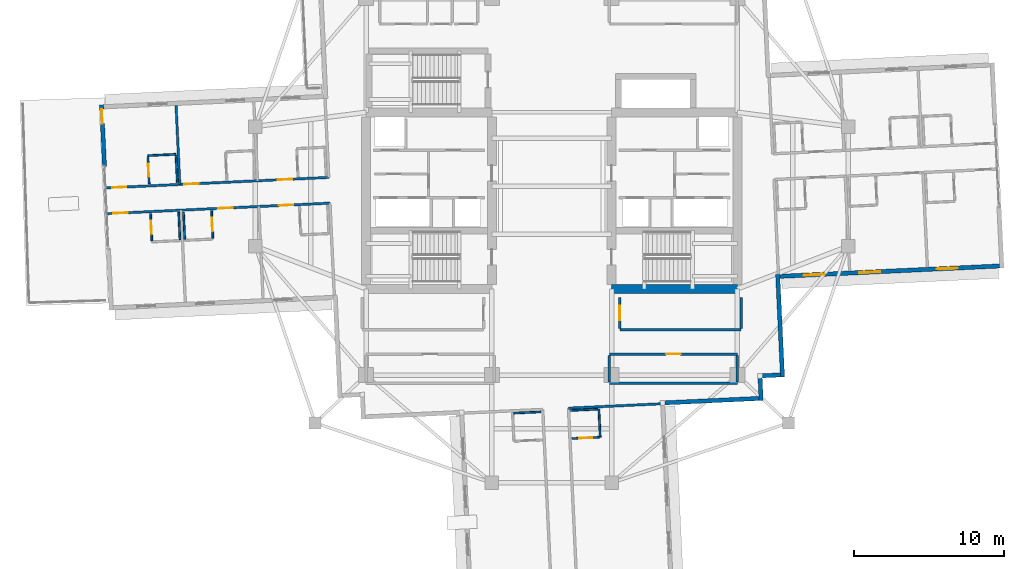
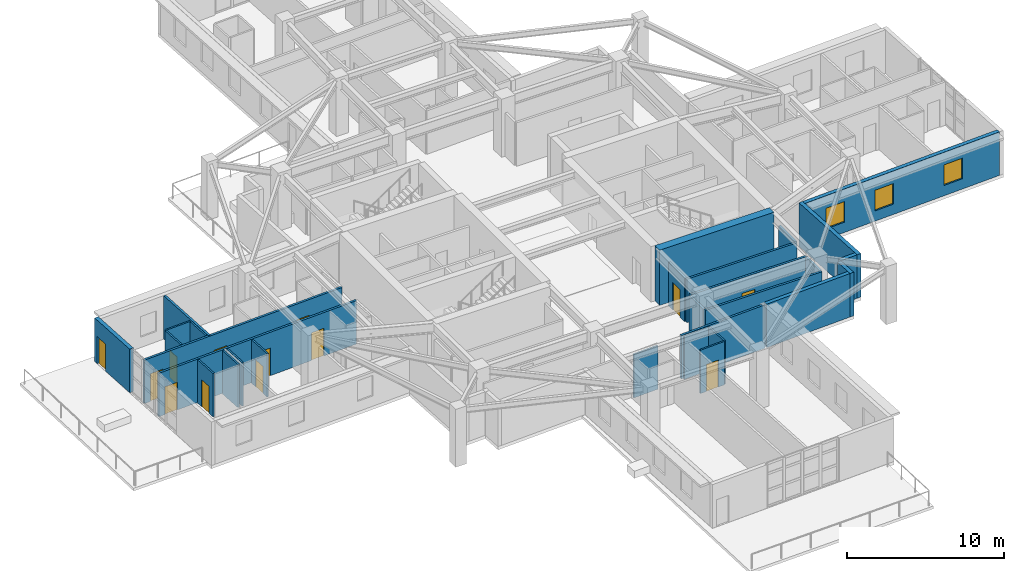
# One storey, part 12 of 22: 29 walls, 13 doors, 3 windows, 16 openings.
"""IFC4 building model written with IfcOpenShell, lengths in metres."""

from ifc_helpers import new_model, si_unit, direction, frame, frame_2d, origin, place, context, subcontext, project, spatial, rectangle, extrude, material, layer, layer_set, type_object, element, fill, save


model = new_model("IFC4")

# Units and contexts
model_context = context("Model", 3, precision=1e-05, world=origin(), true_north=direction((0.0, 1.0)))
body_context = subcontext(model_context, "Body", "Model", "MODEL_VIEW")
ifc_project = project(units=[si_unit("LENGTHUNIT", "METRE"), si_unit("AREAUNIT", "SQUARE_METRE"), si_unit("VOLUMEUNIT", "CUBIC_METRE"), si_unit("PLANEANGLEUNIT", "RADIAN"), si_unit("MASSUNIT", "GRAM", prefix="KILO")], contexts=[model_context])

# Site, building, storey
site_placement = place(None, origin())
site = spatial("IfcSite", under=ifc_project, at=site_placement, CompositionType="ELEMENT")
building_placement = place(site_placement, origin())
building = spatial("IfcBuilding", under=site, at=building_placement, Name="Qingluan Cross Belvedere", CompositionType="ELEMENT")
storey_placement = place(building_placement, frame((0.0, 0.0, 196.800048828125)))
storey = spatial("IfcBuildingStorey", under=building, at=storey_placement, Name="L49", CompositionType="ELEMENT", Elevation=196.800048828125)

# Walls
ifc_material_1 = material(Name="Concrete C60", Category="concrete")
ifc_layer_1 = layer(ifc_material_1, 0.60009765625, Name="CoreShearWall_600")
ifc_layer_set_1 = layer_set([ifc_layer_1], Name="Concrete C60")
wall_type_1 = type_object("IfcWallType", Name="CoreShearWall_600", PredefinedType="SHEAR", material=ifc_layer_set_1)
wall_1_placement = place(storey_placement, frame((4.0, -6.85009765625, 0.0), z_axis=(0.0, 0.0, 1.0), x_axis=(1.0, 0.0, 0.0)))
element("IfcWall", 1, at=wall_1_placement, inside=storey, type_object=wall_type_1, Name="Split core E shear wall L49-S", PredefinedType="SHEAR", context=body_context, shape_type="SweptSolid", body=[
    extrude(rectangle(XDim=8.39990234375, YDim=0.60009765625, at=frame_2d((4.199951171875, 0.0))), origin(), (0.0, 0.0, 1.0), 4.300048828125),
])
ifc_material_2 = material(Name="Gypsum plasterboard on steel stud acoustic partition", Category="steel")
ifc_layer_2 = layer(ifc_material_2, 0.159912109375, Name="CorridorPartition_160")
ifc_layer_set_2 = layer_set([ifc_layer_2], Name="Gypsum plasterboard on steel stud acoustic partition")
wall_type_2 = type_object("IfcWallType", Name="CorridorPartition_160", PredefinedType="PARTITIONING", material=ifc_layer_set_2)
wall_2_placement = place(storey_placement, frame((3.85009765625, -13.14990234375, 0.0), z_axis=(0.0, 0.0, 1.0), x_axis=(1.0, 0.0, 0.0)))
element("IfcWall", 2, at=wall_2_placement, inside=storey, type_object=wall_type_2, Name="Partition L49:sky_tea_lounge:S", PredefinedType="PARTITIONING", context=body_context, shape_type="SweptSolid", body=[
    extrude(rectangle(XDim=8.5498046875, YDim=0.159912109375, at=frame_2d((4.27490234375, 0.0))), origin(), (0.0, 0.0, 1.0), 3.369873046875),
])

# Wall, opening, door
wall_3_placement = place(storey_placement, frame((3.85009765625, -11.199951171875, 0.0), z_axis=(0.0, 0.0, 1.0), x_axis=(1.0, 0.0, 0.0)))
wall_3 = element("IfcWall", 3, at=wall_3_placement, inside=storey, type_object=wall_type_2, Name="Partition L49:sky_tea_lounge:N", PredefinedType="PARTITIONING", context=body_context, shape_type="SweptSolid", body=[
    extrude(rectangle(XDim=8.5498046875, YDim=0.159912109375, at=frame_2d((4.27490234375, 0.0))), origin(), (0.0, 0.0, 1.0), 3.369873046875),
])
opening_1_placement = place(wall_3_placement, frame((3.794921875, 0.0, 0.0)))
opening_1 = element("IfcOpeningElement", 4, at=opening_1_placement, cuts=wall_3, Name="Opening GD-10", PredefinedType="OPENING", context=body_context, shape_type="SweptSolid", body=[
    extrude(rectangle(XDim=0.9599609375, YDim=2.14990234375, at=frame_2d((0.47998046875, 1.074951171875))), frame((0.0, 0.08984375, 0.0), z_axis=(0.0, -1.0, 0.0), x_axis=(1.0, 0.0, 0.0)), (0.0, 0.0, 1.0), 0.179931640625),
])
ifc_material_3 = material(Name="Timber oak fire-rated acoustic guestroom door", Category="wood")
door_type_1 = type_object("IfcDoorType", Name="GuestEntryDoor_FD60", OperationType="NOTDEFINED", PredefinedType="DOOR", material=ifc_material_3)
door_1_placement = place(opening_1_placement, origin())
door_1 = element("IfcDoor", 5, at=door_1_placement, inside=storey, type_object=door_type_1, Name="Winter-garden sky tea lounge L49 door", OperationType="SINGLE_SWING_RIGHT", OverallHeight=2.14990234375, OverallWidth=0.9599609375, PredefinedType="DOOR", context=body_context, shape_type="SweptSolid", body=[
    extrude(rectangle(XDim=0.9599609375, YDim=2.14990234375, at=frame_2d((0.47998046875, 1.074951171875))), frame((0.0, 0.02490234375, 0.0), z_axis=(0.0, -1.0, 0.0), x_axis=(1.0, 0.0, 0.0)), (0.0, 0.0, 1.0), 0.050048828125),
])
fill(opening_1, door_1)

# Walls
for number, where, z_axis, x_axis, name in (
    (6, (3.85009765625, -13.06494140625, 0.0), (0.0, 0.0, 1.0), (0.0, 1.0, 0.0), "Partition L49:sky_tea_lounge:W"),
    (7, (12.39990234375, -13.06494140625, 0.0), (0.0, 0.0, 1.0), (0.0, 1.0, 0.0), "Partition L49:sky_tea_lounge:E"),
):
    element("IfcWall", number, at=place(storey_placement, frame(where, z_axis=z_axis, x_axis=x_axis)), inside=storey, type_object=wall_type_2, Name=name, PredefinedType="PARTITIONING", context=body_context, shape_type="SweptSolid", body=[
        extrude(rectangle(XDim=1.780029296875, YDim=0.159912109375, at=frame_2d((0.89013671875, 0.0))), origin(), (0.0, 0.0, 1.0), 3.369873046875),
    ])
wall_4_placement = place(storey_placement, frame((4.550048828125, -9.580078125, 0.0), z_axis=(0.0, 0.0, 1.0), x_axis=(1.0, 0.0, 0.0)))
element("IfcWall", 8, at=wall_4_placement, inside=storey, type_object=wall_type_2, Name="Partition L49:rec_st4:S", PredefinedType="PARTITIONING", context=body_context, shape_type="SweptSolid", body=[
    extrude(rectangle(XDim=8.099853515625, YDim=0.159912109375, at=frame_2d((4.0498046875, 0.0))), origin(), (0.0, 0.0, 1.0), 3.369873046875),
])

# Wall, opening, door
wall_5_placement = place(storey_placement, frame((4.550048828125, -9.4951171875, 0.0), z_axis=(0.0, 0.0, 1.0), x_axis=(0.0, 1.0, 0.0)))
wall_5 = element("IfcWall", 9, at=wall_5_placement, inside=storey, type_object=wall_type_2, Name="Partition L49:rec_st4:W", PredefinedType="PARTITIONING", context=body_context, shape_type="SweptSolid", body=[
    extrude(rectangle(XDim=2.06005859375, YDim=0.159912109375, at=frame_2d((1.030029296875, 0.0))), origin(), (0.0, 0.0, 1.0), 3.369873046875),
])
opening_2_placement = place(wall_5_placement, frame((0.550048828125, 0.0, 0.0)))
opening_2 = element("IfcOpeningElement", 10, at=opening_2_placement, cuts=wall_5, Name="Opening GD-10", PredefinedType="OPENING", context=body_context, shape_type="SweptSolid", body=[
    extrude(rectangle(XDim=0.9599609375, YDim=2.14990234375, at=frame_2d((0.47998046875, 1.074951171875))), frame((0.0, 0.08984375, 0.0), z_axis=(0.0, -1.0, 0.0), x_axis=(1.0, 0.0, 0.0)), (0.0, 0.0, 1.0), 0.179931640625),
])
door_2_placement = place(opening_2_placement, origin())
door_2 = element("IfcDoor", 11, at=door_2_placement, inside=storey, type_object=door_type_1, Name="Southeast club library room L49 door", OperationType="SINGLE_SWING_RIGHT", OverallHeight=2.14990234375, OverallWidth=0.9599609375, PredefinedType="DOOR", context=body_context, shape_type="SweptSolid", body=[
    extrude(rectangle(XDim=0.9599609375, YDim=2.14990234375, at=frame_2d((0.47998046875, 1.074951171875))), frame((0.0, 0.02490234375, 0.0), z_axis=(0.0, -1.0, 0.0), x_axis=(1.0, 0.0, 0.0)), (0.0, 0.0, 1.0), 0.050048828125),
])
fill(opening_2, door_2)

# Wall
wall_6_placement = place(storey_placement, frame((12.64990234375, -9.4951171875, 0.0), z_axis=(0.0, 0.0, 1.0), x_axis=(0.0, 1.0, 0.0)))
element("IfcWall", 12, at=wall_6_placement, inside=storey, type_object=wall_type_2, Name="Partition L49:rec_st4:E", PredefinedType="PARTITIONING", context=body_context, shape_type="SweptSolid", body=[
    extrude(rectangle(XDim=2.06005859375, YDim=0.159912109375, at=frame_2d((1.030029296875, 0.0))), origin(), (0.0, 0.0, 1.0), 3.369873046875),
])

# Wall, openings, doors
wall_7_placement = place(storey_placement, frame((-14.894775390625, 0.59912109375, 0.0), z_axis=(0.0, 0.0, 1.0), x_axis=(-0.998889640632, -0.04711141941, 0.0)))
wall_7 = element("IfcWall", 13, at=wall_7_placement, inside=storey, type_object=wall_type_2, Name="Partition L49:W:c0", PredefinedType="PARTITIONING", context=body_context, shape_type="SweptSolid", body=[
    extrude(rectangle(XDim=14.929931640625, YDim=0.159912109375, at=frame_2d((7.46484375, 0.0))), origin(), (0.0, 0.0, 1.0), 3.369873046875),
])
opening_3_placement = place(wall_7_placement, frame((2.4560546875, 0.0, 0.0)))
opening_3 = element("IfcOpeningElement", 14, at=opening_3_placement, cuts=wall_7, Name="Opening GD-10", PredefinedType="OPENING", context=body_context, shape_type="SweptSolid", body=[
    extrude(rectangle(XDim=0.9599609375, YDim=2.14990234375, at=frame_2d((0.47998046875, 1.074951171875))), frame((0.0, 0.08984375, 0.0), z_axis=(0.0, -1.0, 0.0), x_axis=(1.0, 0.0, 0.0)), (0.0, 0.0, 1.0), 0.179931640625),
])
opening_4_placement = place(wall_7_placement, frame((8.700927734375, 0.0, 0.0)))
opening_4 = element("IfcOpeningElement", 15, at=opening_4_placement, cuts=wall_7, Name="Opening GD-10", PredefinedType="OPENING", context=body_context, shape_type="SweptSolid", body=[
    extrude(rectangle(XDim=0.9599609375, YDim=2.14990234375, at=frame_2d((0.47998046875, 1.074951171875))), frame((0.0, 0.08984375, 0.0), z_axis=(0.0, -1.0, 0.0), x_axis=(1.0, 0.0, 0.0)), (0.0, 0.0, 1.0), 0.179931640625),
])
opening_5_placement = place(wall_7_placement, frame((13.530029296875, 0.0, 0.0)))
opening_5 = element("IfcOpeningElement", 16, at=opening_5_placement, cuts=wall_7, Name="Opening GD-10", PredefinedType="OPENING", context=body_context, shape_type="SweptSolid", body=[
    extrude(rectangle(XDim=0.9599609375, YDim=2.14990234375, at=frame_2d((0.47998046875, 1.074951171875))), frame((0.0, 0.08984375, 0.0), z_axis=(0.0, -1.0, 0.0), x_axis=(1.0, 0.0, 0.0)), (0.0, 0.0, 1.0), 0.179931640625),
])
door_3_placement = place(opening_3_placement, origin())
door_3 = element("IfcDoor", 17, at=door_3_placement, inside=storey, type_object=door_type_1, Name="Guest entry fire door 4907", OperationType="SINGLE_SWING_RIGHT", OverallHeight=2.14990234375, OverallWidth=0.9599609375, PredefinedType="DOOR", context=body_context, shape_type="SweptSolid", body=[
    extrude(rectangle(XDim=0.9599609375, YDim=2.14990234375, at=frame_2d((0.47998046875, 1.074951171875))), frame((0.0, 0.02490234375, 0.0), z_axis=(0.0, -1.0, 0.0), x_axis=(1.0, 0.0, 0.0)), (0.0, 0.0, 1.0), 0.050048828125),
])
fill(opening_3, door_3)
door_4_placement = place(opening_4_placement, origin())
door_4 = element("IfcDoor", 18, at=door_4_placement, inside=storey, type_object=door_type_1, Name="Guest entry fire door 4908", OperationType="SINGLE_SWING_RIGHT", OverallHeight=2.14990234375, OverallWidth=0.9599609375, PredefinedType="DOOR", context=body_context, shape_type="SweptSolid", body=[
    extrude(rectangle(XDim=0.9599609375, YDim=2.14990234375, at=frame_2d((0.47998046875, 1.074951171875))), frame((0.0, 0.02490234375, 0.0), z_axis=(0.0, -1.0, 0.0), x_axis=(1.0, 0.0, 0.0)), (0.0, 0.0, 1.0), 0.050048828125),
])
fill(opening_4, door_4)
door_5_placement = place(opening_5_placement, origin())
door_5 = element("IfcDoor", 19, at=door_5_placement, inside=storey, type_object=door_type_1, Name="Guest entry fire door 4909", OperationType="SINGLE_SWING_RIGHT", OverallHeight=2.14990234375, OverallWidth=0.9599609375, PredefinedType="DOOR", context=body_context, shape_type="SweptSolid", body=[
    extrude(rectangle(XDim=0.9599609375, YDim=2.14990234375, at=frame_2d((0.47998046875, 1.074951171875))), frame((0.0, 0.02490234375, 0.0), z_axis=(0.0, -1.0, 0.0), x_axis=(1.0, 0.0, 0.0)), (0.0, 0.0, 1.0), 0.050048828125),
])
fill(opening_5, door_5)

# Wall
wall_8_placement = place(storey_placement, frame((-24.8447265625, 0.1298828125, 0.0), z_axis=(0.0, 0.0, 1.0), x_axis=(-0.047096498845, 0.99889034423, 0.0)))
element("IfcWall", 20, at=wall_8_placement, inside=storey, type_object=wall_type_2, Name="Partition L49:W:d0_1", PredefinedType="PARTITIONING", context=body_context, shape_type="SweptSolid", body=[
    extrude(rectangle(XDim=5.27197265625, YDim=0.159912109375, at=frame_2d((2.635986328125, 0.0))), origin(), (0.0, 0.0, 1.0), 3.369873046875),
])

# Wall, openings, doors
wall_9_placement = place(storey_placement, frame((-14.813720703125, -1.119140625, 0.0), z_axis=(0.0, 0.0, 1.0), x_axis=(-0.998889676925, -0.047110649891, 0.0)))
wall_9 = element("IfcWall", 21, at=wall_9_placement, inside=storey, type_object=wall_type_2, Name="Partition L49:W:c1", PredefinedType="PARTITIONING", context=body_context, shape_type="SweptSolid", body=[
    extrude(rectangle(XDim=14.93017578125, YDim=0.159912109375, at=frame_2d((7.465087890625, 0.0))), origin(), (0.0, 0.0, 1.0), 3.369873046875),
])
opening_6_placement = place(wall_9_placement, frame((2.4560546875, 0.0, 0.0)))
opening_6 = element("IfcOpeningElement", 22, at=opening_6_placement, cuts=wall_9, Name="Opening GD-10", PredefinedType="OPENING", context=body_context, shape_type="SweptSolid", body=[
    extrude(rectangle(XDim=0.9599609375, YDim=2.14990234375, at=frame_2d((0.47998046875, 1.074951171875))), frame((0.0, 0.08984375, 0.0), z_axis=(0.0, -1.0, 0.0), x_axis=(1.0, 0.0, 0.0)), (0.0, 0.0, 1.0), 0.179931640625),
])
opening_7_placement = place(wall_9_placement, frame((6.5009765625, 0.0, 0.0)))
opening_7 = element("IfcOpeningElement", 23, at=opening_7_placement, cuts=wall_9, Name="Opening GD-10", PredefinedType="OPENING", context=body_context, shape_type="SweptSolid", body=[
    extrude(rectangle(XDim=0.9599609375, YDim=2.14990234375, at=frame_2d((0.47998046875, 1.074951171875))), frame((0.0, 0.08984375, 0.0), z_axis=(0.0, -1.0, 0.0), x_axis=(1.0, 0.0, 0.0)), (0.0, 0.0, 1.0), 0.179931640625),
])
opening_8_placement = place(wall_9_placement, frame((13.530029296875, 0.0, 0.0)))
opening_8 = element("IfcOpeningElement", 24, at=opening_8_placement, cuts=wall_9, Name="Opening GD-10", PredefinedType="OPENING", context=body_context, shape_type="SweptSolid", body=[
    extrude(rectangle(XDim=0.9599609375, YDim=2.14990234375, at=frame_2d((0.47998046875, 1.074951171875))), frame((0.0, 0.08984375, 0.0), z_axis=(0.0, -1.0, 0.0), x_axis=(1.0, 0.0, 0.0)), (0.0, 0.0, 1.0), 0.179931640625),
])
door_6_placement = place(opening_6_placement, origin())
door_6 = element("IfcDoor", 25, at=door_6_placement, inside=storey, type_object=door_type_1, Name="Guest entry fire door 4910", OperationType="SINGLE_SWING_RIGHT", OverallHeight=2.14990234375, OverallWidth=0.9599609375, PredefinedType="DOOR", context=body_context, shape_type="SweptSolid", body=[
    extrude(rectangle(XDim=0.9599609375, YDim=2.14990234375, at=frame_2d((0.47998046875, 1.074951171875))), frame((0.0, 0.02490234375, 0.0), z_axis=(0.0, -1.0, 0.0), x_axis=(1.0, 0.0, 0.0)), (0.0, 0.0, 1.0), 0.050048828125),
])
fill(opening_6, door_6)
door_7_placement = place(opening_7_placement, origin())
door_7 = element("IfcDoor", 26, at=door_7_placement, inside=storey, type_object=door_type_1, Name="Guest entry fire door 4911", OperationType="SINGLE_SWING_RIGHT", OverallHeight=2.14990234375, OverallWidth=0.9599609375, PredefinedType="DOOR", context=body_context, shape_type="SweptSolid", body=[
    extrude(rectangle(XDim=0.9599609375, YDim=2.14990234375, at=frame_2d((0.47998046875, 1.074951171875))), frame((0.0, 0.02490234375, 0.0), z_axis=(0.0, -1.0, 0.0), x_axis=(1.0, 0.0, 0.0)), (0.0, 0.0, 1.0), 0.050048828125),
])
fill(opening_7, door_7)
door_8_placement = place(opening_8_placement, origin())
door_8 = element("IfcDoor", 27, at=door_8_placement, inside=storey, type_object=door_type_1, Name="Guest entry fire door 4912", OperationType="SINGLE_SWING_RIGHT", OverallHeight=2.14990234375, OverallWidth=0.9599609375, PredefinedType="DOOR", context=body_context, shape_type="SweptSolid", body=[
    extrude(rectangle(XDim=0.9599609375, YDim=2.14990234375, at=frame_2d((0.47998046875, 1.074951171875))), frame((0.0, 0.02490234375, 0.0), z_axis=(0.0, -1.0, 0.0), x_axis=(1.0, 0.0, 0.0)), (0.0, 0.0, 1.0), 0.050048828125),
])
fill(opening_8, door_8)

# Wall
wall_10_placement = place(storey_placement, frame((1.119140625, -14.813720703125, 0.0), z_axis=(0.0, 0.0, 1.0), x_axis=(0.99889090554, 0.047084592265, 0.0)))
element("IfcWall", 28, at=wall_10_placement, inside=storey, type_object=wall_type_2, Name="Partition L49:S:s0", PredefinedType="PARTITIONING", context=body_context, shape_type="SweptSolid", body=[
    extrude(rectangle(XDim=6.300048828125, YDim=0.159912109375, at=frame_2d((3.14990234375, 0.0))), origin(), (0.0, 0.0, 1.0), 3.369873046875),
])

# Wall, opening, door
ifc_material_4 = material(Name="Moisture-resistant gypsum board lining")
ifc_layer_3 = layer(ifc_material_4, 0.1201171875, Name="EnsuiteWetPartition_120")
ifc_layer_set_3 = layer_set([ifc_layer_3], Name="Moisture-resistant gypsum board lining")
wall_type_3 = type_object("IfcWallType", Name="EnsuiteWetPartition_120", PredefinedType="PARTITIONING", material=ifc_layer_set_3)
wall_11_placement = place(storey_placement, frame((-26.888916015625, 0.173583984375, 0.0), z_axis=(0.0, 0.0, 1.0), x_axis=(-0.047220968666, 0.998884467853, 0.0)))
wall_11 = element("IfcWall", 29, at=wall_11_placement, inside=storey, type_object=wall_type_3, Name="Partition L49:W:bs0_2", PredefinedType="PARTITIONING", context=body_context, shape_type="SweptSolid", body=[
    extrude(rectangle(XDim=1.81982421875, YDim=0.1201171875, at=frame_2d((0.909912109375, 0.0))), origin(), (0.0, 0.0, 1.0), 3.369873046875),
])
opening_9_placement = place(wall_11_placement, frame((0.469970703125, 0.0, 0.0)))
opening_9 = element("IfcOpeningElement", 30, at=opening_9_placement, cuts=wall_11, Name="Opening BD-09", PredefinedType="OPENING", context=body_context, shape_type="SweptSolid", body=[
    extrude(rectangle(XDim=0.8798828125, YDim=2.10009765625, at=frame_2d((0.43994140625, 1.050048828125))), frame((0.0, 0.070068359375, 0.0), z_axis=(0.0, -1.0, 0.0), x_axis=(1.0, 0.0, 0.0)), (0.0, 0.0, 1.0), 0.14013671875),
])
ifc_material_5 = material(Name="Moisture-sealed timber en-suite door", Category="wood")
door_type_2 = type_object("IfcDoorType", Name="BathroomDoor_880", OperationType="NOTDEFINED", PredefinedType="DOOR", material=ifc_material_5)
door_9_placement = place(opening_9_placement, origin())
door_9 = element("IfcDoor", 31, at=door_9_placement, inside=storey, type_object=door_type_2, Name="Bathroom door 4909", OperationType="SINGLE_SWING_LEFT", OverallHeight=2.10009765625, OverallWidth=0.8798828125, PredefinedType="DOOR", context=body_context, shape_type="SweptSolid", body=[
    extrude(rectangle(XDim=0.8798828125, YDim=2.10009765625, at=frame_2d((0.43994140625, 1.050048828125))), frame((0.0, 0.02490234375, 0.0), z_axis=(0.0, -1.0, 0.0), x_axis=(1.0, 0.0, 0.0)), (0.0, 0.0, 1.0), 0.050048828125),
])
fill(opening_9, door_9)

# Walls
wall_12_placement = place(storey_placement, frame((-25.010986328125, 0.26220703125, 0.0), z_axis=(0.0, 0.0, 1.0), x_axis=(-0.047087116047, 0.998890786574, 0.0)))
element("IfcWall", 32, at=wall_12_placement, inside=storey, type_object=wall_type_3, Name="Partition L49:W:bw0_2", PredefinedType="PARTITIONING", context=body_context, shape_type="SweptSolid", body=[
    extrude(rectangle(XDim=1.81982421875, YDim=0.1201171875, at=frame_2d((0.909912109375, 0.0))), origin(), (0.0, 0.0, 1.0), 3.369873046875),
])
wall_13_placement = place(storey_placement, frame((-25.099853515625, 2.14501953125, 0.0), z_axis=(0.0, 0.0, 1.0), x_axis=(-0.998888319371, -0.047139425368, 0.0)))
element("IfcWall", 33, at=wall_13_placement, inside=storey, type_object=wall_type_3, Name="Partition L49:W:bn0_2", PredefinedType="PARTITIONING", context=body_context, shape_type="SweptSolid", body=[
    extrude(rectangle(XDim=1.880126953125, YDim=0.1201171875, at=frame_2d((0.93994140625, 0.0))), origin(), (0.0, 0.0, 1.0), 3.369873046875),
])

# Wall, opening, door
wall_14_placement = place(storey_placement, frame((-22.633544921875, -3.449951171875, 0.0), z_axis=(0.0, 0.0, 1.0), x_axis=(-0.047087116047, 0.998890786574, 0.0)))
wall_14 = element("IfcWall", 34, at=wall_14_placement, inside=storey, type_object=wall_type_3, Name="Partition L49:W:bs1_1", PredefinedType="PARTITIONING", context=body_context, shape_type="SweptSolid", body=[
    extrude(rectangle(XDim=1.81982421875, YDim=0.1201171875, at=frame_2d((0.909912109375, 0.0))), origin(), (0.0, 0.0, 1.0), 3.369873046875),
])
opening_10_placement = place(wall_14_placement, frame((0.469970703125, 0.0, 0.0)))
opening_10 = element("IfcOpeningElement", 35, at=opening_10_placement, cuts=wall_14, Name="Opening BD-09", PredefinedType="OPENING", context=body_context, shape_type="SweptSolid", body=[
    extrude(rectangle(XDim=0.8798828125, YDim=2.10009765625, at=frame_2d((0.43994140625, 1.050048828125))), frame((0.0, 0.070068359375, 0.0), z_axis=(0.0, -1.0, 0.0), x_axis=(1.0, 0.0, 0.0)), (0.0, 0.0, 1.0), 0.14013671875),
])
door_10_placement = place(opening_10_placement, origin())
door_10 = element("IfcDoor", 36, at=door_10_placement, inside=storey, type_object=door_type_2, Name="Bathroom door 4911", OperationType="SINGLE_SWING_LEFT", OverallHeight=2.10009765625, OverallWidth=0.8798828125, PredefinedType="DOOR", context=body_context, shape_type="SweptSolid", body=[
    extrude(rectangle(XDim=0.8798828125, YDim=2.10009765625, at=frame_2d((0.43994140625, 1.050048828125))), frame((0.0, 0.02490234375, 0.0), z_axis=(0.0, -1.0, 0.0), x_axis=(1.0, 0.0, 0.0)), (0.0, 0.0, 1.0), 0.050048828125),
])
fill(opening_10, door_10)

# Wall
wall_15_placement = place(storey_placement, frame((-24.511474609375, -3.53857421875, 0.0), z_axis=(0.0, 0.0, 1.0), x_axis=(-0.047220968666, 0.998884467853, 0.0)))
element("IfcWall", 37, at=wall_15_placement, inside=storey, type_object=wall_type_3, Name="Partition L49:W:bw1_1", PredefinedType="PARTITIONING", context=body_context, shape_type="SweptSolid", body=[
    extrude(rectangle(XDim=1.81982421875, YDim=0.1201171875, at=frame_2d((0.909912109375, 0.0))), origin(), (0.0, 0.0, 1.0), 3.369873046875),
])

# Wall, opening, door
wall_16_placement = place(storey_placement, frame((-26.708984375, -3.64208984375, 0.0), z_axis=(0.0, 0.0, 1.0), x_axis=(-0.047220968666, 0.998884467853, 0.0)))
wall_16 = element("IfcWall", 38, at=wall_16_placement, inside=storey, type_object=wall_type_3, Name="Partition L49:W:bs1_2", PredefinedType="PARTITIONING", context=body_context, shape_type="SweptSolid", body=[
    extrude(rectangle(XDim=1.81982421875, YDim=0.1201171875, at=frame_2d((0.909912109375, 0.0))), origin(), (0.0, 0.0, 1.0), 3.369873046875),
])
opening_11_placement = place(wall_16_placement, frame((0.469970703125, 0.0, 0.0)))
opening_11 = element("IfcOpeningElement", 39, at=opening_11_placement, cuts=wall_16, Name="Opening BD-09", PredefinedType="OPENING", context=body_context, shape_type="SweptSolid", body=[
    extrude(rectangle(XDim=0.8798828125, YDim=2.10009765625, at=frame_2d((0.43994140625, 1.050048828125))), frame((0.0, 0.070068359375, 0.0), z_axis=(0.0, -1.0, 0.0), x_axis=(1.0, 0.0, 0.0)), (0.0, 0.0, 1.0), 0.14013671875),
])
door_11_placement = place(opening_11_placement, origin())
door_11 = element("IfcDoor", 40, at=door_11_placement, inside=storey, type_object=door_type_2, Name="Bathroom door 4912", OperationType="SINGLE_SWING_LEFT", OverallHeight=2.10009765625, OverallWidth=0.8798828125, PredefinedType="DOOR", context=body_context, shape_type="SweptSolid", body=[
    extrude(rectangle(XDim=0.8798828125, YDim=2.10009765625, at=frame_2d((0.43994140625, 1.050048828125))), frame((0.0, 0.02490234375, 0.0), z_axis=(0.0, -1.0, 0.0), x_axis=(1.0, 0.0, 0.0)), (0.0, 0.0, 1.0), 0.050048828125),
])
fill(opening_11, door_11)

# Wall
wall_17_placement = place(storey_placement, frame((-24.831298828125, -3.5537109375, 0.0), z_axis=(0.0, 0.0, 1.0), x_axis=(-0.047080807099, 0.998891083954, 0.0)))
element("IfcWall", 41, at=wall_17_placement, inside=storey, type_object=wall_type_3, Name="Partition L49:W:bw1_2", PredefinedType="PARTITIONING", context=body_context, shape_type="SweptSolid", body=[
    extrude(rectangle(XDim=1.820068359375, YDim=0.1201171875, at=frame_2d((0.91015625, 0.0))), origin(), (0.0, 0.0, 1.0), 3.369873046875),
])

# Wall, opening, door
wall_18_placement = place(storey_placement, frame((1.35498046875, -16.844970703125, 0.0), z_axis=(0.0, 0.0, 1.0), x_axis=(0.998884766924, 0.047214641863, 0.0)))
wall_18 = element("IfcWall", 42, at=wall_18_placement, inside=storey, type_object=wall_type_3, Name="Partition L49:S:bs0_0", PredefinedType="PARTITIONING", context=body_context, shape_type="SweptSolid", body=[
    extrude(rectangle(XDim=1.820068359375, YDim=0.1201171875, at=frame_2d((0.91015625, 0.0))), origin(), (0.0, 0.0, 1.0), 3.369873046875),
])
opening_12_placement = place(wall_18_placement, frame((0.469970703125, 0.0, 0.0)))
opening_12 = element("IfcOpeningElement", 43, at=opening_12_placement, cuts=wall_18, Name="Opening BD-09", PredefinedType="OPENING", context=body_context, shape_type="SweptSolid", body=[
    extrude(rectangle(XDim=0.8798828125, YDim=2.10009765625, at=frame_2d((0.43994140625, 1.050048828125))), frame((0.0, 0.070068359375, 0.0), z_axis=(0.0, -1.0, 0.0), x_axis=(1.0, 0.0, 0.0)), (0.0, 0.0, 1.0), 0.14013671875),
])
door_12_placement = place(opening_12_placement, origin())
door_12 = element("IfcDoor", 44, at=door_12_placement, inside=storey, type_object=door_type_2, Name="Bathroom door 4915", OperationType="SINGLE_SWING_LEFT", OverallHeight=2.10009765625, OverallWidth=0.8798828125, PredefinedType="DOOR", context=body_context, shape_type="SweptSolid", body=[
    extrude(rectangle(XDim=0.8798828125, YDim=2.10009765625, at=frame_2d((0.43994140625, 1.050048828125))), frame((0.0, 0.02490234375, 0.0), z_axis=(0.0, -1.0, 0.0), x_axis=(1.0, 0.0, 0.0)), (0.0, 0.0, 1.0), 0.050048828125),
])
fill(opening_12, door_12)

# Walls
wall_19_placement = place(storey_placement, frame((1.266357421875, -14.967041015625, 0.0), z_axis=(0.0, 0.0, 1.0), x_axis=(0.998884766924, 0.047214641863, 0.0)))
element("IfcWall", 45, at=wall_19_placement, inside=storey, type_object=wall_type_3, Name="Partition L49:S:bw0_0", PredefinedType="PARTITIONING", context=body_context, shape_type="SweptSolid", body=[
    extrude(rectangle(XDim=1.820068359375, YDim=0.1201171875, at=frame_2d((0.91015625, 0.0))), origin(), (0.0, 0.0, 1.0), 3.369873046875),
])
wall_20_placement = place(storey_placement, frame((3.1494140625, -14.878173828125, 0.0), z_axis=(0.0, 0.0, 1.0), x_axis=(0.04700985207, -0.998894425757, 0.0)))
element("IfcWall", 46, at=wall_20_placement, inside=storey, type_object=wall_type_3, Name="Partition L49:S:bn0_0", PredefinedType="PARTITIONING", context=body_context, shape_type="SweptSolid", body=[
    extrude(rectangle(XDim=1.880126953125, YDim=0.1201171875, at=frame_2d((0.93994140625, 0.0))), origin(), (0.0, 0.0, 1.0), 3.369873046875),
])
wall_21_placement = place(storey_placement, frame((-2.54931640625, -15.14697265625, 0.0), z_axis=(0.0, 0.0, 1.0), x_axis=(0.998891083954, 0.047080807099, 0.0)))
element("IfcWall", 47, at=wall_21_placement, inside=storey, type_object=wall_type_3, Name="Partition L49:S:bw1_0", PredefinedType="PARTITIONING", context=body_context, shape_type="SweptSolid", body=[
    extrude(rectangle(XDim=1.820068359375, YDim=0.1201171875, at=frame_2d((0.91015625, 0.0))), origin(), (0.0, 0.0, 1.0), 3.369873046875),
])

# Wall, openings, windows
ifc_material_6 = material(Name="Precast concrete C45", Category="concrete")
ifc_layer_4 = layer(ifc_material_6, 0.280029296875, Name="PrecastFacadeWall_280")
ifc_layer_set_4 = layer_set([ifc_layer_4], Name="Precast concrete C45")
wall_type_4 = type_object("IfcWallType", Name="PrecastFacadeWall_280", PredefinedType="STANDARD", material=ifc_layer_set_4)
wall_22_placement = place(storey_placement, frame((15.239990234375, -6.0087890625, 0.0), z_axis=(0.0, 0.0, 1.0), x_axis=(0.998890124275, 0.047101163748, 0.0)))
wall_22 = element("IfcWall", 48, at=wall_22_placement, inside=storey, type_object=wall_type_4, Name="Facade wall L49-EA", PredefinedType="STANDARD", context=body_context, shape_type="SweptSolid", body=[
    extrude(rectangle(XDim=14.699951171875, YDim=0.280029296875, at=frame_2d((7.35009765625, 0.0))), origin(), (0.0, 0.0, 1.0), 3.3798828125),
])
opening_13_placement = place(wall_22_placement, frame((1.60009765625, 0.0, 0.800048828125)))
opening_13 = element("IfcOpeningElement", 49, at=opening_13_placement, cuts=wall_22, Name="Opening W-01", PredefinedType="OPENING", context=body_context, shape_type="SweptSolid", body=[
    extrude(rectangle(XDim=1.39990234375, YDim=1.60009765625, at=frame_2d((0.699951171875, 0.800048828125))), frame((0.0, 0.14990234375, 0.0), z_axis=(0.0, -1.0, 0.0), x_axis=(1.0, 0.0, 0.0)), (0.0, 0.0, 1.0), 0.300048828125),
])
opening_14_placement = place(wall_22_placement, frame((5.300048828125, 0.0, 0.800048828125)))
opening_14 = element("IfcOpeningElement", 50, at=opening_14_placement, cuts=wall_22, Name="Opening W-01", PredefinedType="OPENING", context=body_context, shape_type="SweptSolid", body=[
    extrude(rectangle(XDim=1.39990234375, YDim=1.60009765625, at=frame_2d((0.699951171875, 0.800048828125))), frame((0.0, 0.14990234375, 0.0), z_axis=(0.0, -1.0, 0.0), x_axis=(1.0, 0.0, 0.0)), (0.0, 0.0, 1.0), 0.300048828125),
])
opening_15_placement = place(wall_22_placement, frame((10.5, 0.0, 0.800048828125)))
opening_15 = element("IfcOpeningElement", 51, at=opening_15_placement, cuts=wall_22, Name="Opening W-01", PredefinedType="OPENING", context=body_context, shape_type="SweptSolid", body=[
    extrude(rectangle(XDim=1.39990234375, YDim=1.60009765625, at=frame_2d((0.699951171875, 0.800048828125))), frame((0.0, 0.14990234375, 0.0), z_axis=(0.0, -1.0, 0.0), x_axis=(1.0, 0.0, 0.0)), (0.0, 0.0, 1.0), 0.300048828125),
])
ifc_material_7 = material(Name="Thermally broken triple Low-E glass in aluminium frame", Category="aluminium")
window_type = type_object("IfcWindowType", Name="TriRibbonWin_1400x1600", PartitioningType="SINGLE_PANEL", PredefinedType="WINDOW", material=ifc_material_7)
window_1_placement = place(opening_13_placement, origin())
window_1 = element("IfcWindow", 52, at=window_1_placement, inside=storey, type_object=window_type, Name="Ribbon window L49-EA-1", OverallHeight=1.60009765625, OverallWidth=1.39990234375, PartitioningType="SINGLE_PANEL", PredefinedType="WINDOW", context=body_context, shape_type="SweptSolid", body=[
    extrude(rectangle(XDim=1.39990234375, YDim=1.60009765625, at=frame_2d((0.699951171875, 0.800048828125))), frame((0.0, 0.030029296875, 0.0), z_axis=(0.0, -1.0, 0.0), x_axis=(1.0, 0.0, 0.0)), (0.0, 0.0, 1.0), 0.06005859375),
])
fill(opening_13, window_1)
window_2_placement = place(opening_14_placement, origin())
window_2 = element("IfcWindow", 53, at=window_2_placement, inside=storey, type_object=window_type, Name="Ribbon window L49-EA-2", OverallHeight=1.60009765625, OverallWidth=1.39990234375, PartitioningType="SINGLE_PANEL", PredefinedType="WINDOW", context=body_context, shape_type="SweptSolid", body=[
    extrude(rectangle(XDim=1.39990234375, YDim=1.60009765625, at=frame_2d((0.699951171875, 0.800048828125))), frame((0.0, 0.030029296875, 0.0), z_axis=(0.0, -1.0, 0.0), x_axis=(1.0, 0.0, 0.0)), (0.0, 0.0, 1.0), 0.06005859375),
])
fill(opening_14, window_2)
window_3_placement = place(opening_15_placement, origin())
window_3 = element("IfcWindow", 54, at=window_3_placement, inside=storey, type_object=window_type, Name="Ribbon window L49-EA-3", OverallHeight=1.60009765625, OverallWidth=1.39990234375, PartitioningType="SINGLE_PANEL", PredefinedType="WINDOW", context=body_context, shape_type="SweptSolid", body=[
    extrude(rectangle(XDim=1.39990234375, YDim=1.60009765625, at=frame_2d((0.699951171875, 0.800048828125))), frame((0.0, 0.030029296875, 0.0), z_axis=(0.0, -1.0, 0.0), x_axis=(1.0, 0.0, 0.0)), (0.0, 0.0, 1.0), 0.06005859375),
])
fill(opening_15, window_3)

# Wall, opening, door
wall_23_placement = place(storey_placement, frame((-30.070068359375, 5.44970703125, 0.0), z_axis=(0.0, 0.0, 1.0), x_axis=(0.047094531617, -0.998890436981, 0.0)))
wall_23 = element("IfcWall", 55, at=wall_23_placement, inside=storey, type_object=wall_type_4, Name="Terrace portal jamb wall L49-W1", PredefinedType="STANDARD", context=body_context, shape_type="SweptSolid", body=[
    extrude(rectangle(XDim=4.1162109375, YDim=0.280029296875, at=frame_2d((2.05810546875, 0.0))), origin(), (0.0, 0.0, 1.0), 3.3798828125),
])
opening_16_placement = place(wall_23_placement, frame((0.300048828125, 0.0, 0.0)))
opening_16 = element("IfcOpeningElement", 56, at=opening_16_placement, cuts=wall_23, Name="Opening TD-10", PredefinedType="OPENING", context=body_context, shape_type="SweptSolid", body=[
    extrude(rectangle(XDim=0.9599609375, YDim=2.10009765625, at=frame_2d((0.47998046875, 1.050048828125))), frame((0.0, 0.14990234375, 0.0), z_axis=(0.0, -1.0, 0.0), x_axis=(1.0, 0.0, 0.0)), (0.0, 0.0, 1.0), 0.300048828125),
])
ifc_material_8 = material(Name="Thermally broken aluminium and Low-E glass", Category="aluminium")
door_type_3 = type_object("IfcDoorType", Name="SetbackTerraceDoor_096", OperationType="NOTDEFINED", PredefinedType="DOOR", material=ifc_material_8)
door_13_placement = place(opening_16_placement, origin())
door_13 = element("IfcDoor", 57, at=door_13_placement, inside=storey, type_object=door_type_3, Name="Outdoor terrace access door L49-set1", OperationType="SINGLE_SWING_LEFT", OverallHeight=2.10009765625, OverallWidth=0.9599609375, PredefinedType="DOOR", context=body_context, shape_type="SweptSolid", body=[
    extrude(rectangle(XDim=0.9599609375, YDim=2.10009765625, at=frame_2d((0.47998046875, 1.050048828125))), frame((0.0, 0.02490234375, 0.0), z_axis=(0.0, -1.0, 0.0), x_axis=(1.0, 0.0, 0.0)), (0.0, 0.0, 1.0), 0.050048828125),
])
fill(opening_16, door_13)

# Walls
wall_24_placement = place(storey_placement, frame((15.093505859375, -5.87548828125, 0.0), z_axis=(0.0, 0.0, 1.0), x_axis=(0.04712043756, -0.998889215261, 0.0)))
element("IfcWall", 58, at=wall_24_placement, inside=storey, type_object=wall_type_4, Name="Corner wall L49-SE1", PredefinedType="STANDARD", context=body_context, shape_type="SweptSolid", body=[
    extrude(rectangle(XDim=6.85986328125, YDim=0.280029296875, at=frame_2d((3.429931640625, 0.0))), origin(), (0.0, 0.0, 1.0), 3.3798828125),
])
wall_25_placement = place(storey_placement, frame((15.270263671875, -12.5947265625, 0.0), z_axis=(0.0, 0.0, 1.0), x_axis=(-0.998893795343, -0.047023245574, 0.0)))
element("IfcWall", 59, at=wall_25_placement, inside=storey, type_object=wall_type_4, Name="Corner wall L49-SE2", PredefinedType="STANDARD", context=body_context, shape_type="SweptSolid", body=[
    extrude(rectangle(XDim=1.22021484375, YDim=0.280029296875, at=frame_2d((0.610107421875, 0.0))), origin(), (0.0, 0.0, 1.0), 3.3798828125),
])
wall_26_placement = place(storey_placement, frame((13.918212890625, -12.798583984375, 0.0), z_axis=(0.0, 0.0, 1.0), x_axis=(0.047201688113, -0.99888537913, 0.0)))
element("IfcWall", 60, at=wall_26_placement, inside=storey, type_object=wall_type_4, Name="Corner wall L49-SE3", PredefinedType="STANDARD", context=body_context, shape_type="SweptSolid", body=[
    extrude(rectangle(XDim=1.5, YDim=0.280029296875, at=frame_2d((0.75, 0.0))), origin(), (0.0, 0.0, 1.0), 3.3798828125),
])
wall_27_placement = place(storey_placement, frame((13.842529296875, -14.16357421875, 0.0), z_axis=(0.0, 0.0, 1.0), x_axis=(-0.998889082162, -0.047123258997, 0.0)))
element("IfcWall", 61, at=wall_27_placement, inside=storey, type_object=wall_type_4, Name="Corner wall L49-SE4", PredefinedType="STANDARD", context=body_context, shape_type="SweptSolid", body=[
    extrude(rectangle(XDim=6.300048828125, YDim=0.280029296875, at=frame_2d((3.14990234375, 0.0))), origin(), (0.0, 0.0, 1.0), 3.3798828125),
])

save(model, "model.ifc")
